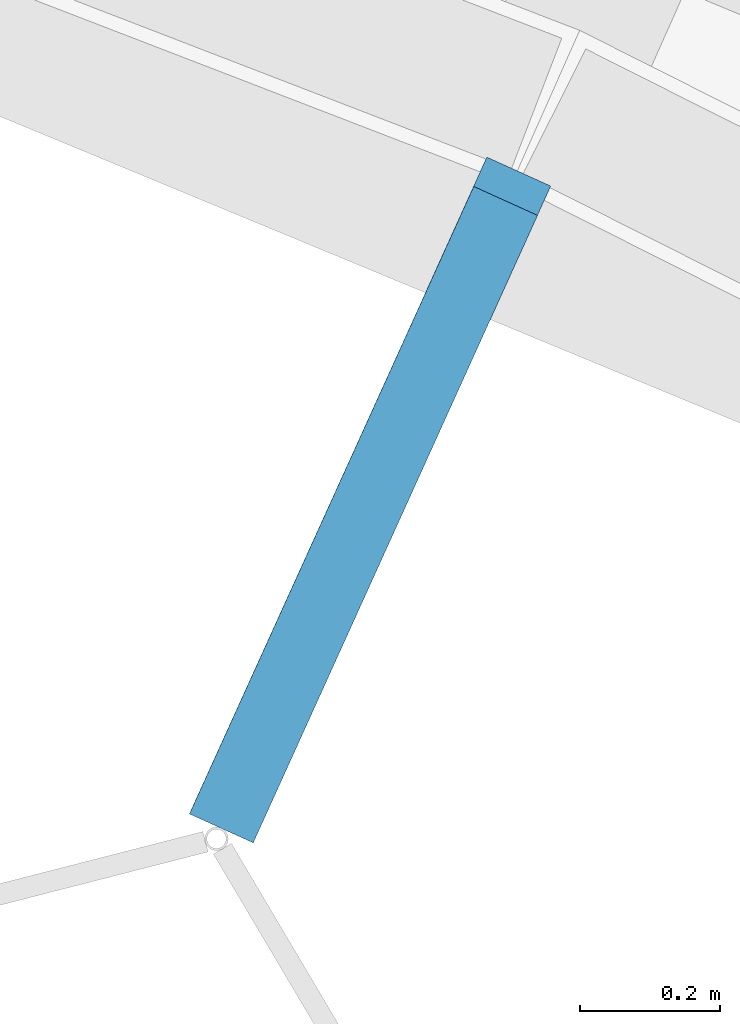
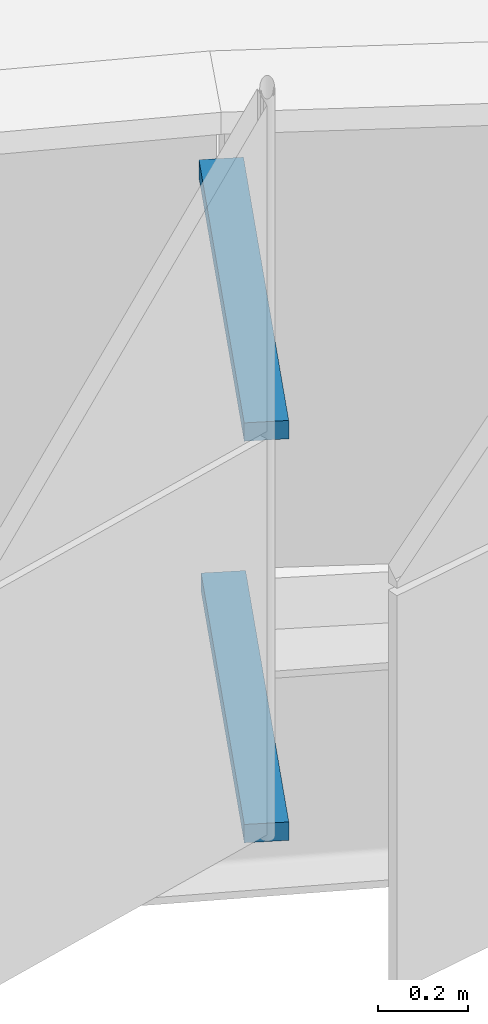
# One storey, part 249 of 483: 2 discrete accessories.
"""IFC4 building model written with IfcOpenShell, lengths in metres."""

from ifc_helpers import new_model, si_unit, direction, frame, origin, origin_2d, place, context, subcontext, project, spatial, rectangle, extrude, material, type_object, element, save


model = new_model("IFC4")

# Units and contexts
model_context = context("Model", 3, precision=1e-05, world=origin(), true_north=direction((0.0, 1.0)))
body_context = subcontext(model_context, "Body", "Model", "MODEL_VIEW")
ifc_project = project(units=[si_unit("LENGTHUNIT", "METRE"), si_unit("AREAUNIT", "SQUARE_METRE"), si_unit("VOLUMEUNIT", "CUBIC_METRE"), si_unit("PLANEANGLEUNIT", "RADIAN"), si_unit("MASSUNIT", "GRAM", prefix="KILO")], contexts=[model_context])

# Site, building, storey
site_placement = place(None, origin())
site = spatial("IfcSite", under=ifc_project, at=site_placement, CompositionType="ELEMENT")
building_placement = place(site_placement, origin())
building = spatial("IfcBuilding", under=site, at=building_placement, Name="Parallax Yard Mobility Hub", CompositionType="ELEMENT")
storey_placement = place(building_placement, frame((0.0, 0.0, 13.199951171875)))
storey = spatial("IfcBuildingStorey", under=building, at=storey_placement, Name="L04", CompositionType="ELEMENT", Elevation=13.199951171875)

# Discrete accessories
ifc_material = material(Name="Steel ASTM A36, hot-dip galvanised", Category="steel")
discrete_accessory_type = type_object("IfcDiscreteAccessoryType", Name="Hinge bracket plate 100x50", PredefinedType="BRACKET", material=ifc_material)
discrete_accessory_1_placement = place(storey_placement, frame((181.44580078125, 110.095703125, -0.02490234375), z_axis=(0.0, 0.0, 1.0), x_axis=(-0.412707029804, -0.910863824921, 0.0)))
element("IfcDiscreteAccessory", 1, at=discrete_accessory_1_placement, inside=storey, type_object=discrete_accessory_type, Name="Hinge bracket plate bay 19.3 level L04", PredefinedType="BRACKET", context=body_context, shape_type="SweptSolid", body=[
    extrude(rectangle(XDim=0.984130859375, YDim=0.10009765625, at=origin_2d()), origin(), (0.0, 0.0, 1.0), 0.050048828125),
])
discrete_accessory_2_placement = place(storey_placement, frame((181.455078125, 110.11669921875, 1.06982421875), z_axis=(0.0, 0.0, 1.0), x_axis=(-0.412707029804, -0.910863824921, 0.0)))
element("IfcDiscreteAccessory", 2, at=discrete_accessory_2_placement, inside=storey, type_object=discrete_accessory_type, Name="Hinge bracket plate bay 19.3 level L04", PredefinedType="BRACKET", context=body_context, shape_type="SweptSolid", body=[
    extrude(rectangle(XDim=1.030029296875, YDim=0.10009765625, at=origin_2d()), origin(), (0.0, 0.0, 1.0), 0.050048828125),
])

save(model, "model.ifc")
